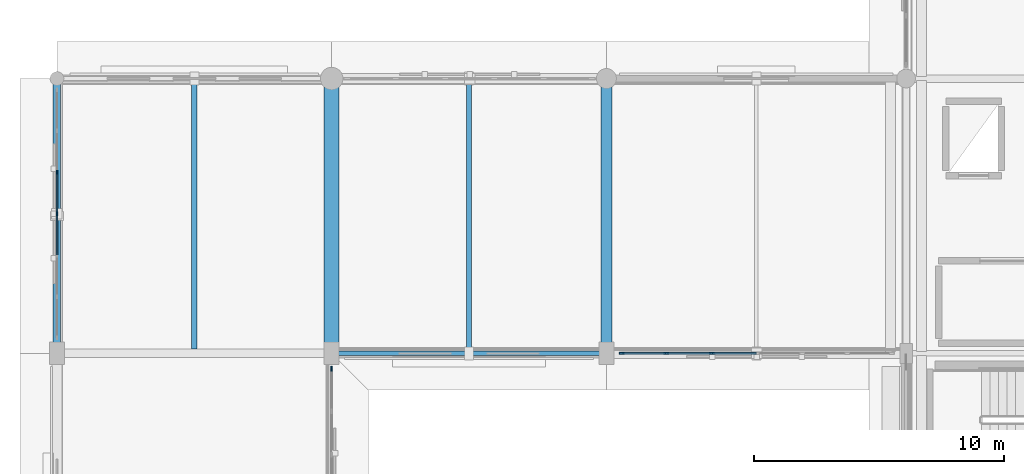
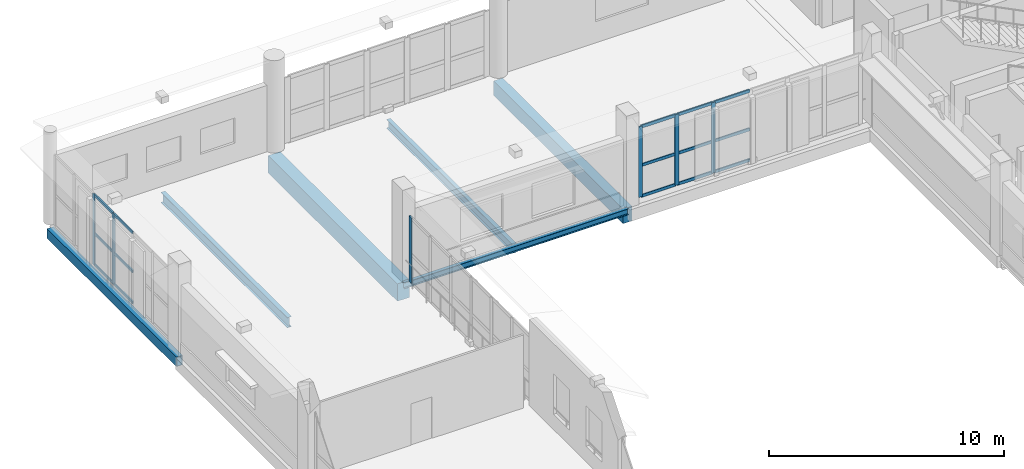
# One storey, part 39 of 143: 21 members, 6 beams, 3 elements without a shape of their own.
"""IFC4 building model written with IfcOpenShell, lengths in metres."""

from ifc_helpers import new_model, si_unit, direction, frame, origin, origin_2d, place, context, subcontext, project, spatial, rectangle, hollow_rectangle, i_section, extrude, material, material_profile, profile_set, type_object, element, aggregate, save


model = new_model("IFC4")

# Units and contexts
model_context = context("Model", 3, precision=1e-05, world=origin(), true_north=direction((0.0, 1.0)))
body_context = subcontext(model_context, "Body", "Model", "MODEL_VIEW")
ifc_project = project(units=[si_unit("LENGTHUNIT", "METRE"), si_unit("AREAUNIT", "SQUARE_METRE"), si_unit("VOLUMEUNIT", "CUBIC_METRE"), si_unit("PLANEANGLEUNIT", "RADIAN"), si_unit("MASSUNIT", "GRAM", prefix="KILO")], contexts=[model_context])

# Site, building, storey
site_placement = place(None, origin())
site = spatial("IfcSite", under=ifc_project, at=site_placement, CompositionType="ELEMENT")
building_placement = place(site_placement, origin())
building = spatial("IfcBuilding", under=site, at=building_placement, Name="Luwafu Chhajja Arena", CompositionType="ELEMENT")
storey_placement = place(building_placement, frame((0.0, 0.0, 5.39990234375)))
storey = spatial("IfcBuildingStorey", under=building, at=storey_placement, Name="L01", CompositionType="ELEMENT", Elevation=5.39990234375)

# Curtain wall, members
ifc_material_1 = material(Name="Anodised bronze aluminium", Category="aluminium")
curtain_wall_type_1 = type_object("IfcCurtainWallType", Name="Community Hall Street Curtain Wall", PredefinedType="USERDEFINED", material=ifc_material_1)
curtain_wall_1_placement = place(storey_placement, origin())
curtain_wall_1 = element("IfcCurtainWall", 1, at=curtain_wall_1_placement, inside=storey, type_object=curtain_wall_type_1, Name="L01 Curtain Wall CWG-L01-V00_08", ObjectType="CURTAIN WALL", PredefinedType="USERDEFINED")
ifc_material_profile_1 = material_profile(ifc_material_1, rectangle(XDim=0.06005859375, YDim=0.159912109375, at=origin_2d()), Name="CWM 60x160")
ifc_profile_set_1 = profile_set([ifc_material_profile_1], Name="Anodised bronze aluminium")
member_type_1 = type_object("IfcMemberType", Name="Bronze Curtain Wall Mullion 60x160", PredefinedType="MULLION", material=ifc_profile_set_1)
member_1_placement = place(storey_placement, frame((0.0, 93.58740234375, 0.030029296875), z_axis=(0.0, 0.0, 1.0), x_axis=(-1.0, 0.0, 0.0)))
member_1 = element("IfcMember", 2, at=member_1_placement, type_object=member_type_1, Name="CW-09 mullion 4", PredefinedType="MULLION", context=body_context, shape_type="SweptSolid", body=[
    extrude(rectangle(XDim=0.06005859375, YDim=0.159912109375, at=origin_2d()), origin(), (0.0, 0.0, 1.0), 3.676513671875),
])
member_2_placement = place(storey_placement, frame((0.0, 95.25341796875, 0.030029296875), z_axis=(0.0, 0.0, 1.0), x_axis=(-1.0, 0.0, 0.0)))
member_2 = element("IfcMember", 3, at=member_2_placement, type_object=member_type_1, Name="CW-09 mullion 5", PredefinedType="MULLION", context=body_context, shape_type="SweptSolid", body=[
    extrude(rectangle(XDim=0.06005859375, YDim=0.159912109375, at=origin_2d()), origin(), (0.0, 0.0, 1.0), 3.676513671875),
])

# Curtain wall, member
curtain_wall_type_2 = type_object("IfcCurtainWallType", Name="VIP Club Terrace Curtain Wall", PredefinedType="USERDEFINED", material=ifc_material_1)
curtain_wall_2_placement = place(storey_placement, origin())
curtain_wall_2 = element("IfcCurtainWall", 4, at=curtain_wall_2_placement, inside=storey, type_object=curtain_wall_type_2, Name="L01 Curtain Wall CWG-L01-V01_07", ObjectType="CURTAIN WALL", PredefinedType="USERDEFINED")
ifc_material_profile_2 = material_profile(ifc_material_1, rectangle(XDim=0.06494140625, YDim=0.199951171875, at=origin_2d()), Name="CWM 65x200")
ifc_profile_set_2 = profile_set([ifc_material_profile_2], Name="Anodised bronze aluminium")
member_type_2 = type_object("IfcMemberType", Name="Bronze Curtain Wall Mullion 65x200", PredefinedType="MULLION", material=ifc_profile_set_2)
member_3_placement = place(storey_placement, frame((11.0, 87.37744140625, 0.030029296875), z_axis=(0.0, 0.0, 1.0), x_axis=(-1.0, 0.0, 0.0)))
member_3 = element("IfcMember", 5, at=member_3_placement, type_object=member_type_2, Name="CW-10 mullion 7", PredefinedType="MULLION", context=body_context, shape_type="SweptSolid", body=[
    extrude(rectangle(XDim=0.06494140625, YDim=0.199951171875, at=origin_2d()), origin(), (0.0, 0.0, 1.0), 3.41015625),
])
aggregate(curtain_wall_2, [member_3])

# Curtain wall, members
curtain_wall_type_3 = type_object("IfcCurtainWallType", Name="Foyer Luwafu Street Curtain Wall", PredefinedType="USERDEFINED", material=ifc_material_1)
curtain_wall_3_placement = place(storey_placement, origin())
curtain_wall_3 = element("IfcCurtainWall", 6, at=curtain_wall_3_placement, inside=storey, type_object=curtain_wall_type_3, Name="L01 Curtain Wall CWG-L01-H02_08", ObjectType="CURTAIN WALL", PredefinedType="USERDEFINED")
member_4_placement = place(storey_placement, frame((22.62255859375, 88.0, 0.030029296875), z_axis=(0.0, 0.0, 1.0), x_axis=(0.0, 1.0, 0.0)))
member_4 = element("IfcMember", 7, at=member_4_placement, type_object=member_type_2, Name="CW-05 mullion 1", PredefinedType="MULLION", context=body_context, shape_type="SweptSolid", body=[
    extrude(rectangle(XDim=0.06494140625, YDim=0.199951171875, at=origin_2d()), origin(), (0.0, 0.0, 1.0), 3.66015625),
])
member_5_placement = place(storey_placement, frame((24.401611328125, 88.0, 0.030029296875), z_axis=(0.0, 0.0, 1.0), x_axis=(0.0, 1.0, 0.0)))
member_5 = element("IfcMember", 8, at=member_5_placement, type_object=member_type_2, Name="CW-05 mullion 2", PredefinedType="MULLION", context=body_context, shape_type="SweptSolid", body=[
    extrude(rectangle(XDim=0.06494140625, YDim=0.199951171875, at=origin_2d()), origin(), (0.0, 0.0, 1.0), 3.66015625),
])
member_6_placement = place(storey_placement, frame((26.21337890625, 88.0, 0.030029296875), z_axis=(0.0, 0.0, 1.0), x_axis=(0.0, 1.0, 0.0)))
member_6 = element("IfcMember", 9, at=member_6_placement, type_object=member_type_2, Name="CW-05 mullion 3", PredefinedType="MULLION", context=body_context, shape_type="SweptSolid", body=[
    extrude(rectangle(XDim=0.06494140625, YDim=0.199951171875, at=origin_2d()), origin(), (0.0, 0.0, 1.0), 3.66015625),
])

# Member
ifc_material_profile_3 = material_profile(ifc_material_1, rectangle(XDim=0.06005859375, YDim=0.1298828125, at=origin_2d()), Name="CWT 60x130")
ifc_profile_set_3 = profile_set([ifc_material_profile_3], Name="Anodised bronze aluminium")
member_type_3 = type_object("IfcMemberType", Name="Bronze Curtain Wall Transom 60x130", PredefinedType="USERDEFINED", material=ifc_profile_set_3)
member_7_placement = place(storey_placement, frame((0.0, 91.95166015625, 0.06005859375), z_axis=(0.0, 1.0, 0.0), x_axis=(-1.0, 0.0, 0.0)))
member_7 = element("IfcMember", 10, at=member_7_placement, type_object=member_type_3, Name="CW-09 transom 3.1", ObjectType="TRANSOM", PredefinedType="USERDEFINED", context=body_context, shape_type="SweptSolid", body=[
    extrude(rectangle(XDim=0.06005859375, YDim=0.1298828125, at=origin_2d()), origin(), (0.0, 0.0, 1.0), 1.60595703125),
])

member_8_placement = place(storey_placement, frame((0.0, 91.95166015625, 1.66796875), z_axis=(0.0, 1.0, 0.0), x_axis=(-1.0, 0.0, 0.0)))
member_8 = element("IfcMember", 11, at=member_8_placement, type_object=member_type_3, Name="CW-09 transom 3.2", ObjectType="TRANSOM", PredefinedType="USERDEFINED", context=body_context, shape_type="SweptSolid", body=[
    extrude(rectangle(XDim=0.06005859375, YDim=0.1298828125, at=origin_2d()), origin(), (0.0, 0.0, 1.0), 1.60595703125),
])

member_9_placement = place(storey_placement, frame((0.0, 91.95166015625, 3.676513671875), z_axis=(0.0, 1.0, 0.0), x_axis=(-1.0, 0.0, 0.0)))
member_9 = element("IfcMember", 12, at=member_9_placement, type_object=member_type_3, Name="CW-09 transom 3.3", ObjectType="TRANSOM", PredefinedType="USERDEFINED", context=body_context, shape_type="SweptSolid", body=[
    extrude(rectangle(XDim=0.06005859375, YDim=0.1298828125, at=origin_2d()), origin(), (0.0, 0.0, 1.0), 1.60595703125),
])

member_10_placement = place(storey_placement, frame((0.0, 93.617431640625, 0.06005859375), z_axis=(0.0, 1.0, 0.0), x_axis=(-1.0, 0.0, 0.0)))
member_10 = element("IfcMember", 13, at=member_10_placement, type_object=member_type_3, Name="CW-09 transom 4.1", ObjectType="TRANSOM", PredefinedType="USERDEFINED", context=body_context, shape_type="SweptSolid", body=[
    extrude(rectangle(XDim=0.06005859375, YDim=0.1298828125, at=origin_2d()), origin(), (0.0, 0.0, 1.0), 1.60595703125),
])

member_11_placement = place(storey_placement, frame((0.0, 93.617431640625, 1.66796875), z_axis=(0.0, 1.0, 0.0), x_axis=(-1.0, 0.0, 0.0)))
member_11 = element("IfcMember", 14, at=member_11_placement, type_object=member_type_3, Name="CW-09 transom 4.2", ObjectType="TRANSOM", PredefinedType="USERDEFINED", context=body_context, shape_type="SweptSolid", body=[
    extrude(rectangle(XDim=0.06005859375, YDim=0.1298828125, at=origin_2d()), origin(), (0.0, 0.0, 1.0), 1.60595703125),
])

member_12_placement = place(storey_placement, frame((0.0, 93.617431640625, 3.676513671875), z_axis=(0.0, 1.0, 0.0), x_axis=(-1.0, 0.0, 0.0)))
member_12 = element("IfcMember", 15, at=member_12_placement, type_object=member_type_3, Name="CW-09 transom 4.3", ObjectType="TRANSOM", PredefinedType="USERDEFINED", context=body_context, shape_type="SweptSolid", body=[
    extrude(rectangle(XDim=0.06005859375, YDim=0.1298828125, at=origin_2d()), origin(), (0.0, 0.0, 1.0), 1.60595703125),
])

aggregate(curtain_wall_1, [member_1, member_2, member_7, member_8, member_9, member_10, member_11, member_12])

ifc_material_profile_4 = material_profile(ifc_material_1, rectangle(XDim=0.06494140625, YDim=0.14990234375, at=origin_2d()), Name="CWT 65x150")
ifc_profile_set_4 = profile_set([ifc_material_profile_4], Name="Anodised bronze aluminium")
member_type_4 = type_object("IfcMemberType", Name="Bronze Curtain Wall Transom 65x150", PredefinedType="USERDEFINED", material=ifc_profile_set_4)
member_13_placement = place(storey_placement, frame((22.655029296875, 88.0, 0.0625), z_axis=(1.0, 0.0, 0.0), x_axis=(0.0, 1.0, 0.0)))
member_13 = element("IfcMember", 16, at=member_13_placement, type_object=member_type_4, Name="CW-05 transom 1.1", ObjectType="TRANSOM", PredefinedType="USERDEFINED", context=body_context, shape_type="SweptSolid", body=[
    extrude(rectangle(XDim=0.06494140625, YDim=0.14990234375, at=origin_2d()), origin(), (0.0, 0.0, 1.0), 1.714111328125),
])

member_14_placement = place(storey_placement, frame((22.655029296875, 88.0, 1.66064453125), z_axis=(1.0, 0.0, 0.0), x_axis=(0.0, 1.0, 0.0)))
member_14 = element("IfcMember", 17, at=member_14_placement, type_object=member_type_4, Name="CW-05 transom 1.2", ObjectType="TRANSOM", PredefinedType="USERDEFINED", context=body_context, shape_type="SweptSolid", body=[
    extrude(rectangle(XDim=0.06494140625, YDim=0.14990234375, at=origin_2d()), origin(), (0.0, 0.0, 1.0), 1.714111328125),
])

member_15_placement = place(storey_placement, frame((22.655029296875, 88.0, 3.65771484375), z_axis=(1.0, 0.0, 0.0), x_axis=(0.0, 1.0, 0.0)))
member_15 = element("IfcMember", 18, at=member_15_placement, type_object=member_type_4, Name="CW-05 transom 1.3", ObjectType="TRANSOM", PredefinedType="USERDEFINED", context=body_context, shape_type="SweptSolid", body=[
    extrude(rectangle(XDim=0.06494140625, YDim=0.14990234375, at=origin_2d()), origin(), (0.0, 0.0, 1.0), 1.714111328125),
])

member_16_placement = place(storey_placement, frame((24.43408203125, 88.0, 0.0625), z_axis=(1.0, 0.0, 0.0), x_axis=(0.0, 1.0, 0.0)))
member_16 = element("IfcMember", 19, at=member_16_placement, type_object=member_type_4, Name="CW-05 transom 2.1", ObjectType="TRANSOM", PredefinedType="USERDEFINED", context=body_context, shape_type="SweptSolid", body=[
    extrude(rectangle(XDim=0.06494140625, YDim=0.14990234375, at=origin_2d()), origin(), (0.0, 0.0, 1.0), 1.746826171875),
])

member_17_placement = place(storey_placement, frame((24.43408203125, 88.0, 1.66064453125), z_axis=(1.0, 0.0, 0.0), x_axis=(0.0, 1.0, 0.0)))
member_17 = element("IfcMember", 20, at=member_17_placement, type_object=member_type_4, Name="CW-05 transom 2.2", ObjectType="TRANSOM", PredefinedType="USERDEFINED", context=body_context, shape_type="SweptSolid", body=[
    extrude(rectangle(XDim=0.06494140625, YDim=0.14990234375, at=origin_2d()), origin(), (0.0, 0.0, 1.0), 1.746826171875),
])

member_18_placement = place(storey_placement, frame((24.43408203125, 88.0, 3.65771484375), z_axis=(1.0, 0.0, 0.0), x_axis=(0.0, 1.0, 0.0)))
member_18 = element("IfcMember", 21, at=member_18_placement, type_object=member_type_4, Name="CW-05 transom 2.3", ObjectType="TRANSOM", PredefinedType="USERDEFINED", context=body_context, shape_type="SweptSolid", body=[
    extrude(rectangle(XDim=0.06494140625, YDim=0.14990234375, at=origin_2d()), origin(), (0.0, 0.0, 1.0), 1.746826171875),
])

member_19_placement = place(storey_placement, frame((26.245849609375, 88.0, 0.0625), z_axis=(1.0, 0.0, 0.0), x_axis=(0.0, 1.0, 0.0)))
member_19 = element("IfcMember", 22, at=member_19_placement, type_object=member_type_4, Name="CW-05 transom 3.1", ObjectType="TRANSOM", PredefinedType="USERDEFINED", context=body_context, shape_type="SweptSolid", body=[
    extrude(rectangle(XDim=0.06494140625, YDim=0.14990234375, at=origin_2d()), origin(), (0.0, 0.0, 1.0), 1.74658203125),
])

member_20_placement = place(storey_placement, frame((26.245849609375, 88.0, 1.66064453125), z_axis=(1.0, 0.0, 0.0), x_axis=(0.0, 1.0, 0.0)))
member_20 = element("IfcMember", 23, at=member_20_placement, type_object=member_type_4, Name="CW-05 transom 3.2", ObjectType="TRANSOM", PredefinedType="USERDEFINED", context=body_context, shape_type="SweptSolid", body=[
    extrude(rectangle(XDim=0.06494140625, YDim=0.14990234375, at=origin_2d()), origin(), (0.0, 0.0, 1.0), 1.74658203125),
])

member_21_placement = place(storey_placement, frame((26.245849609375, 88.0, 3.65771484375), z_axis=(1.0, 0.0, 0.0), x_axis=(0.0, 1.0, 0.0)))
member_21 = element("IfcMember", 24, at=member_21_placement, type_object=member_type_4, Name="CW-05 transom 3.3", ObjectType="TRANSOM", PredefinedType="USERDEFINED", context=body_context, shape_type="SweptSolid", body=[
    extrude(rectangle(XDim=0.06494140625, YDim=0.14990234375, at=origin_2d()), origin(), (0.0, 0.0, 1.0), 1.74658203125),
])

aggregate(curtain_wall_3, [member_4, member_5, member_6, member_13, member_14, member_15, member_16, member_17, member_18, member_19, member_20, member_21])

# Beams
ifc_material_2 = material(Name="Steel S355", Category="steel")
ifc_material_profile_5 = material_profile(ifc_material_2, i_section(OverallWidth=0.165771484375, OverallDepth=0.306640625, WebThickness=0.006591796875, FlangeThickness=0.01171875, at=origin_2d()), Name="UB 305x165x46")
ifc_profile_set_5 = profile_set([ifc_material_profile_5], Name="Steel S355")
beam_type_1 = type_object("IfcBeamType", Name="Concourse Edge Spandrel Beam UB 305x165x46", PredefinedType="SPANDREL", material=ifc_profile_set_5)
beam_1_placement = place(storey_placement, frame((11.0, 88.0, -0.483154296875), z_axis=(1.0, 0.0, 0.0), x_axis=(0.0, 1.0, 0.0)))
element("IfcBeam", 25, at=beam_1_placement, inside=storey, type_object=beam_type_1, Name="L01 Grid Beam 2-3/J", PredefinedType="SPANDREL", context=body_context, shape_type="SweptSolid", body=[
    extrude(i_section(OverallWidth=0.165771484375, OverallDepth=0.306640625, WebThickness=0.006591796875, FlangeThickness=0.01171875, at=origin_2d()), origin(), (0.0, 0.0, 1.0), 11.0),
])
ifc_material_3 = material(Name="Concrete C35/45", Category="concrete")
ifc_material_profile_6 = material_profile(ifc_material_3, rectangle(XDim=0.60009765625, YDim=0.89990234375, at=origin_2d()), Name="RC 600x900")
ifc_profile_set_6 = profile_set([ifc_material_profile_6], Name="Concrete C35/45")
beam_type_2 = type_object("IfcBeamType", Name="Concourse Primary Girder RC 600x900", PredefinedType="BEAM", material=ifc_profile_set_6)
beam_2_placement = place(storey_placement, frame((11.0, 88.0, -0.77978515625), z_axis=(0.0, 1.0, 0.0), x_axis=(-1.0, 0.0, 0.0)))
element("IfcBeam", 26, at=beam_2_placement, inside=storey, type_object=beam_type_2, Name="L01 Grid Beam 2/J-K", PredefinedType="BEAM", context=body_context, shape_type="SweptSolid", body=[
    extrude(rectangle(XDim=0.60009765625, YDim=0.89990234375, at=origin_2d()), origin(), (0.0, 0.0, 1.0), 11.0),
])
ifc_material_profile_7 = material_profile(ifc_material_2, i_section(OverallWidth=0.19140625, OverallDepth=0.4599609375, WebThickness=0.010009765625, FlangeThickness=0.01611328125, at=origin_2d()), Name="UB 457x191x82")
ifc_profile_set_7 = profile_set([ifc_material_profile_7], Name="Steel S355")
beam_type_3 = type_object("IfcBeamType", Name="Floor Joist UB 457x191x82", PredefinedType="JOIST", material=ifc_profile_set_7)
beam_3_placement = place(storey_placement, frame((16.5, 88.082763671875, -0.559814453125), z_axis=(0.0, 1.0, 0.0), x_axis=(-1.0, 0.0, 0.0)))
element("IfcBeam", 27, at=beam_3_placement, inside=storey, type_object=beam_type_3, Name="L01 Secondary Joist 2-3/J", PredefinedType="JOIST", context=body_context, shape_type="SweptSolid", body=[
    extrude(i_section(OverallWidth=0.19140625, OverallDepth=0.4599609375, WebThickness=0.010009765625, FlangeThickness=0.01611328125, at=origin_2d()), origin(), (0.0, 0.0, 1.0), 10.71728515625),
])
ifc_material_profile_8 = material_profile(ifc_material_2, i_section(OverallWidth=0.209228515625, OverallDepth=0.533203125, WebThickness=0.010009765625, FlangeThickness=0.015625, at=origin_2d()), Name="UB 533x210x92")
ifc_profile_set_8 = profile_set([ifc_material_profile_8], Name="Steel S355")
beam_type_4 = type_object("IfcBeamType", Name="Floor Joist UB 533x210x92", PredefinedType="JOIST", material=ifc_profile_set_8)
beam_4_placement = place(storey_placement, frame((5.5, 88.175048828125, -0.596435546875), z_axis=(0.0, 1.0, 0.0), x_axis=(-1.0, 0.0, 0.0)))
element("IfcBeam", 28, at=beam_4_placement, inside=storey, type_object=beam_type_4, Name="L01 Secondary Joist 1-2/J", PredefinedType="JOIST", context=body_context, shape_type="SweptSolid", body=[
    extrude(i_section(OverallWidth=0.209228515625, OverallDepth=0.533203125, WebThickness=0.010009765625, FlangeThickness=0.015625, at=origin_2d()), origin(), (0.0, 0.0, 1.0), 10.7421875),
])
ifc_material_profile_9 = material_profile(ifc_material_2, hollow_rectangle(XDim=0.300048828125, YDim=0.5, WallThickness=0.02001953125, at=origin_2d()), Name="RHS 500x300x20")
ifc_profile_set_9 = profile_set([ifc_material_profile_9], Name="Steel S355")
beam_type_5 = type_object("IfcBeamType", Name="Pleated Drum Spandrel Beam RHS 500x300", PredefinedType="SPANDREL", material=ifc_profile_set_9)
beam_5_placement = place(storey_placement, frame((0.0, 88.0, -0.579833984375), z_axis=(0.0, 1.0, 0.0), x_axis=(-1.0, 0.0, 0.0)))
element("IfcBeam", 29, at=beam_5_placement, inside=storey, type_object=beam_type_5, Name="L01 Grid Beam 1/J-K", PredefinedType="SPANDREL", context=body_context, shape_type="SweptSolid", body=[
    extrude(hollow_rectangle(XDim=0.300048828125, YDim=0.5, WallThickness=0.02001953125, at=origin_2d()), origin(), (0.0, 0.0, 1.0), 11.0),
])
ifc_material_profile_10 = material_profile(ifc_material_3, rectangle(XDim=0.449951171875, YDim=0.75, at=origin_2d()), Name="RC 450x750")
ifc_profile_set_10 = profile_set([ifc_material_profile_10], Name="Concrete C35/45")
beam_type_6 = type_object("IfcBeamType", Name="Wing Primary Beam RC 450x750", PredefinedType="BEAM", material=ifc_profile_set_10)
beam_6_placement = place(storey_placement, frame((22.0, 88.0, -0.704833984375), z_axis=(0.0, 1.0, 0.0), x_axis=(-1.0, 0.0, 0.0)))
element("IfcBeam", 30, at=beam_6_placement, inside=storey, type_object=beam_type_6, Name="L01 Grid Beam 3/J-K", PredefinedType="BEAM", context=body_context, shape_type="SweptSolid", body=[
    extrude(rectangle(XDim=0.449951171875, YDim=0.75, at=origin_2d()), origin(), (0.0, 0.0, 1.0), 11.0),
])

save(model, "model.ifc")
